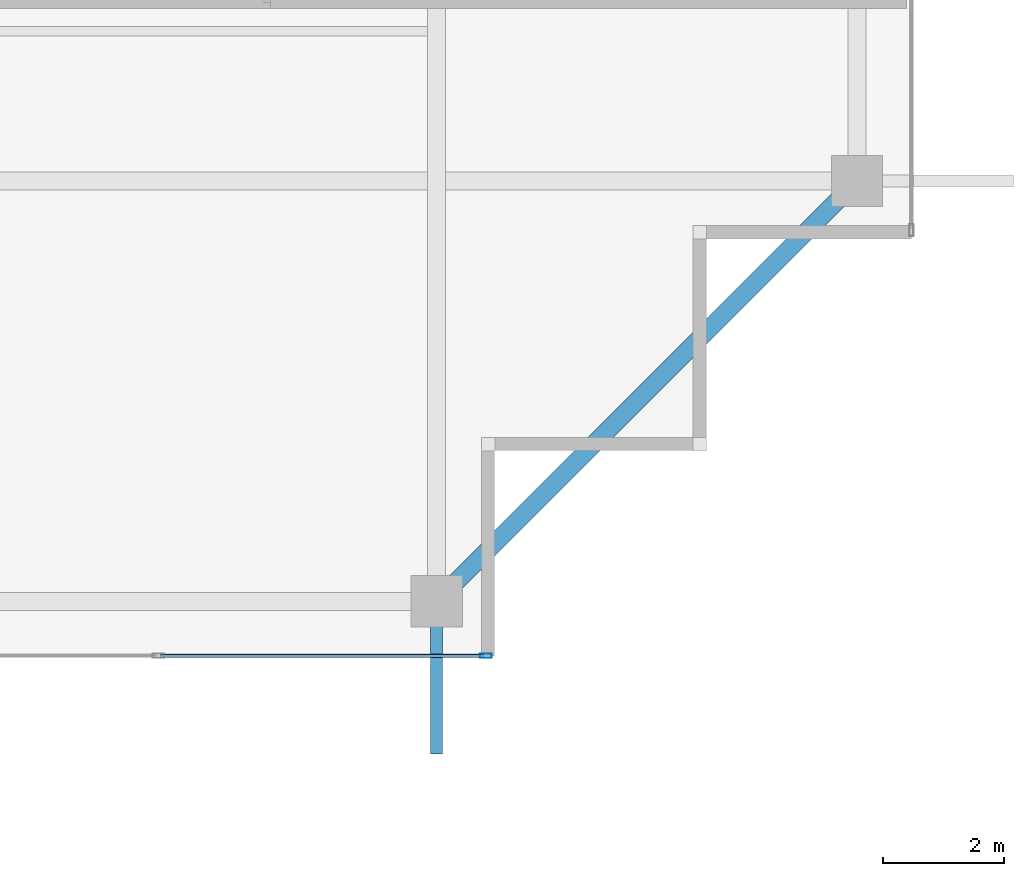
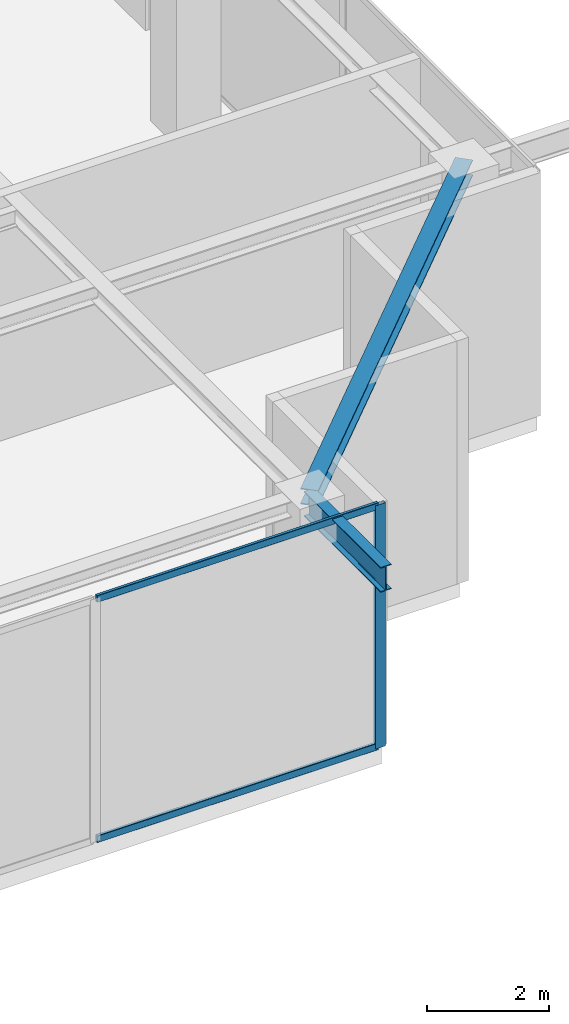
# One storey, part 11 of 27: 3 members, 2 beams, 1 element without a shape of its own.
"""IFC4 building model written with IfcOpenShell, lengths in metres."""

from ifc_helpers import new_model, si_unit, direction, frame, origin, origin_2d, place, context, subcontext, project, spatial, hollow_rectangle, i_section, extrude, source, transform, mapped, material, layer, layer_set, material_profile, profile_set, type_object, element, aggregate, save


model = new_model("IFC4")

# Units and contexts
model_context = context("Model", 3, precision=1e-05, world=origin(), true_north=direction((0.0, 1.0)))
body_context = subcontext(model_context, "Body", "Model", "MODEL_VIEW")
ifc_project = project(units=[si_unit("LENGTHUNIT", "METRE"), si_unit("AREAUNIT", "SQUARE_METRE"), si_unit("VOLUMEUNIT", "CUBIC_METRE"), si_unit("PLANEANGLEUNIT", "RADIAN"), si_unit("MASSUNIT", "GRAM", prefix="KILO")], contexts=[model_context])

# Site, building, storey
site_placement = place(None, origin())
site = spatial("IfcSite", under=ifc_project, at=site_placement, CompositionType="ELEMENT")
building_placement = place(site_placement, origin())
building = spatial("IfcBuilding", under=site, at=building_placement, Name="Serunith Strait Residences", CompositionType="ELEMENT")
storey_placement = place(building_placement, frame((0.0, 0.0, 365.75)))
storey = spatial("IfcBuildingStorey", under=building, at=storey_placement, Name="L89", CompositionType="ELEMENT", Elevation=365.75)

# Beams
ifc_material_1 = material(Name="Steel S355J2", Category="steel")
ifc_material_profile_1 = material_profile(ifc_material_1, i_section(OverallWidth=0.300048828125, OverallDepth=0.320068359375, WebThickness=0.011474609375, FlangeThickness=0.0205078125, FilletRadius=0.027099609375, at=origin_2d()), Name="HEB 320")
ifc_profile_set_1 = profile_set([ifc_material_profile_1], Name="Steel S355J2")
beam_type_1 = type_object("IfcBeamType", Name="BM-HEB320", PredefinedType="BEAM", material=ifc_profile_set_1)
shared_shape_1 = source(origin(), body_context, "Body", "SweptSolid", [
    extrude(i_section(OverallWidth=0.300048828125, OverallDepth=0.320068359375, WebThickness=0.011474609375, FlangeThickness=0.0205078125, FilletRadius=0.027099609375, at=origin_2d()), origin(), (0.0, 0.0, 1.0), 9.8291015625),
])
beam_1_placement = place(storey_placement, frame((46.14990234375, 4.89990234375, 4.737060546875), z_axis=(0.707106781187, 0.707106781187, 0.0), x_axis=(-0.707106781187, 0.707106781187, 0.0)))
element("IfcBeam", 1, at=beam_1_placement, inside=storey, type_object=beam_type_1, Name="L89 Perimeter Ring Beam 04", PredefinedType="BEAM", context=body_context, shape_type="MappedRepresentation", body=[
    mapped(shared_shape_1, transform((0.0, 0.0, 0.0), scale=1.0)),
])
ifc_material_profile_2 = material_profile(ifc_material_1, i_section(OverallWidth=0.199951171875, OverallDepth=0.5, WebThickness=0.01025390625, FlangeThickness=0.01611328125, FilletRadius=0.02099609375, at=origin_2d()), Name="IPE 500")
ifc_profile_set_2 = profile_set([ifc_material_profile_2], Name="Steel S355J2")
beam_type_2 = type_object("IfcBeamType", Name="BM-IPE500", PredefinedType="JOIST", material=ifc_profile_set_2)
shared_shape_2 = source(origin(), body_context, "Body", "SweptSolid", [
    extrude(i_section(OverallWidth=0.199951171875, OverallDepth=0.5, WebThickness=0.01025390625, FlangeThickness=0.01611328125, FilletRadius=0.02099609375, at=origin_2d()), origin(), (0.0, 0.0, 1.0), 2.523193359375),
])
beam_2_placement = place(storey_placement, frame((46.14990234375, 4.89990234375, 4.64697265625), z_axis=(0.0, -1.0, 0.0), x_axis=(1.0, 0.0, 0.0)))
element("IfcBeam", 2, at=beam_2_placement, inside=storey, type_object=beam_type_2, Name="Crown Canopy Cantilever Rafter TC-S4", PredefinedType="JOIST", context=body_context, shape_type="MappedRepresentation", body=[
    mapped(shared_shape_2, transform((0.0, 0.0, 0.0), scale=1.0)),
])

# Curtain wall, members
ifc_material_2 = material(Name="Pale-Silver Anodised Aluminium", Category="aluminium")
ifc_layer = layer(ifc_material_2, 0.199951171875, Name="Pale-Silver Anodised Aluminium")
ifc_layer_set = layer_set([ifc_layer], Name="Pale-Silver Anodised Aluminium")
curtain_wall_type = type_object("IfcCurtainWallType", Name="CW-SYS7", PredefinedType="NOTDEFINED", material=ifc_layer_set)
curtain_wall_placement = place(storey_placement, origin())
curtain_wall = element("IfcCurtainWall", 3, at=curtain_wall_placement, inside=storey, type_object=curtain_wall_type, Name="L89 S Unitised Fritted Curtain Wall", PredefinedType="NOTDEFINED")
ifc_material_profile_3 = material_profile(ifc_material_2, hollow_rectangle(XDim=0.072021484375, YDim=0.195068359375, WallThickness=0.00390625, InnerFilletRadius=0.006103515625, OuterFilletRadius=0.010009765625, at=origin_2d()), Name="ALU 195x72x4")
ifc_profile_set_3 = profile_set([ifc_material_profile_3], Name="Pale-Silver Anodised Aluminium")
member_type_1 = type_object("IfcMemberType", Name="CW-SYS7-MULL", PredefinedType="MULLION", material=ifc_profile_set_3)
shared_shape_3 = source(origin(), body_context, "Body", "SweptSolid", [
    extrude(hollow_rectangle(XDim=0.072021484375, YDim=0.195068359375, WallThickness=0.00390625, InnerFilletRadius=0.006103515625, OuterFilletRadius=0.010009765625, at=origin_2d()), origin(), (0.0, 0.0, 1.0), 4.885009765625),
])
member_1_placement = place(storey_placement, frame((46.964111328125, 4.0, 0.0), z_axis=(0.0, 0.0, 1.0), x_axis=(0.0, 1.0, 0.0)))
member_1 = element("IfcMember", 4, at=member_1_placement, type_object=member_type_1, Name="CW-7 mullion 3", PredefinedType="MULLION", context=body_context, shape_type="MappedRepresentation", body=[
    mapped(shared_shape_3, transform((0.0, 0.0, 0.0), scale=1.0)),
])
ifc_material_profile_4 = material_profile(ifc_material_2, hollow_rectangle(XDim=0.06005859375, YDim=0.139892578125, WallThickness=0.00341796875, InnerFilletRadius=0.00537109375, OuterFilletRadius=0.0087890625, at=origin_2d()), Name="ALU 140x60x3.5")
ifc_profile_set_4 = profile_set([ifc_material_profile_4], Name="Pale-Silver Anodised Aluminium")
member_type_2 = type_object("IfcMemberType", Name="CW-SYS7-TRAN", PredefinedType="USERDEFINED", material=ifc_profile_set_4)
shared_shape_4 = source(origin(), body_context, "Body", "SweptSolid", [
    extrude(hollow_rectangle(XDim=0.06005859375, YDim=0.139892578125, WallThickness=0.00341796875, InnerFilletRadius=0.00537109375, OuterFilletRadius=0.0087890625, at=origin_2d()), origin(), (0.0, 0.0, 1.0), 5.342041015625),
])
member_2_placement = place(storey_placement, frame((41.5859375, 4.0, 0.030029296875), z_axis=(1.0, 0.0, 0.0), x_axis=(0.0, 1.0, 0.0)))
member_2 = element("IfcMember", 5, at=member_2_placement, type_object=member_type_2, Name="CW-7 transom 2.1", ObjectType="TRANSOM", PredefinedType="USERDEFINED", context=body_context, shape_type="MappedRepresentation", body=[
    mapped(shared_shape_4, transform((0.0, 0.0, 0.0), scale=1.0)),
])
member_3_placement = place(storey_placement, frame((41.5859375, 4.0, 4.85498046875), z_axis=(1.0, 0.0, 0.0), x_axis=(0.0, 1.0, 0.0)))
member_3 = element("IfcMember", 6, at=member_3_placement, type_object=member_type_2, Name="CW-7 transom 2.2", ObjectType="TRANSOM", PredefinedType="USERDEFINED", context=body_context, shape_type="MappedRepresentation", body=[
    mapped(shared_shape_4, transform((0.0, 0.0, 0.0), scale=1.0)),
])
aggregate(curtain_wall, [member_1, member_2, member_3])

save(model, "model.ifc")
